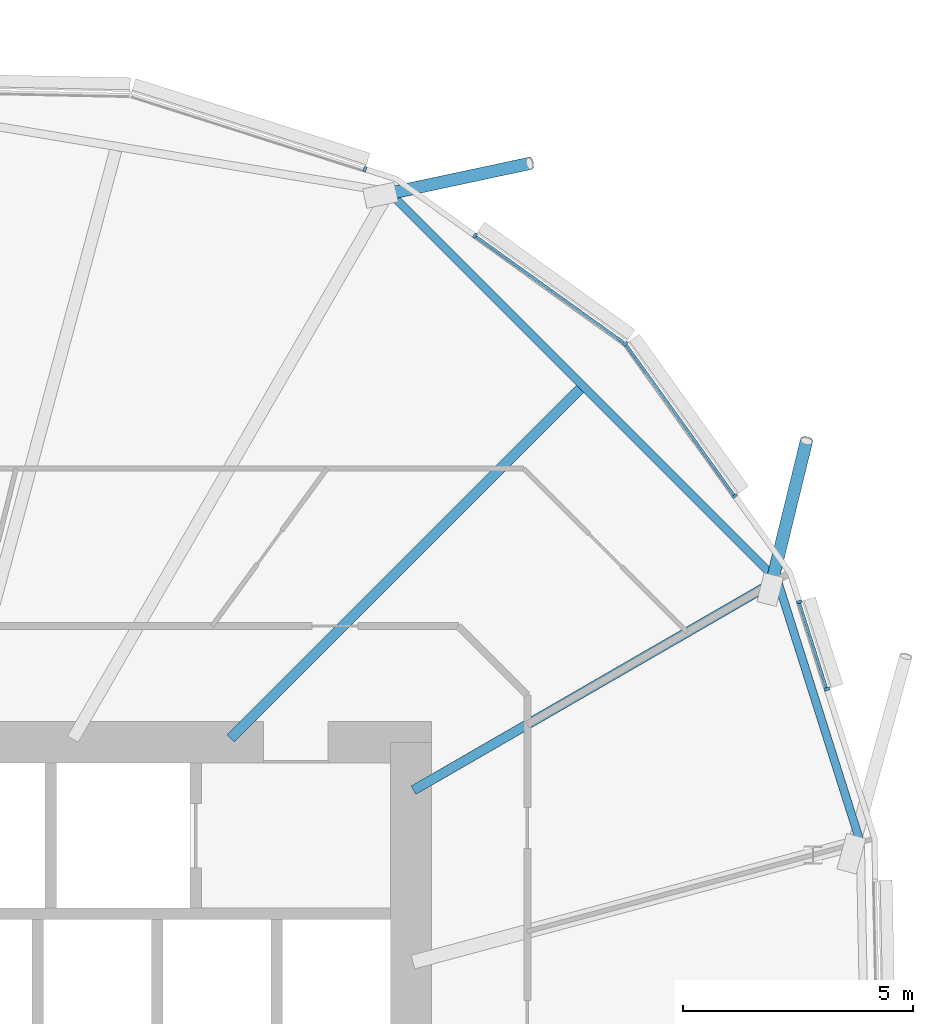
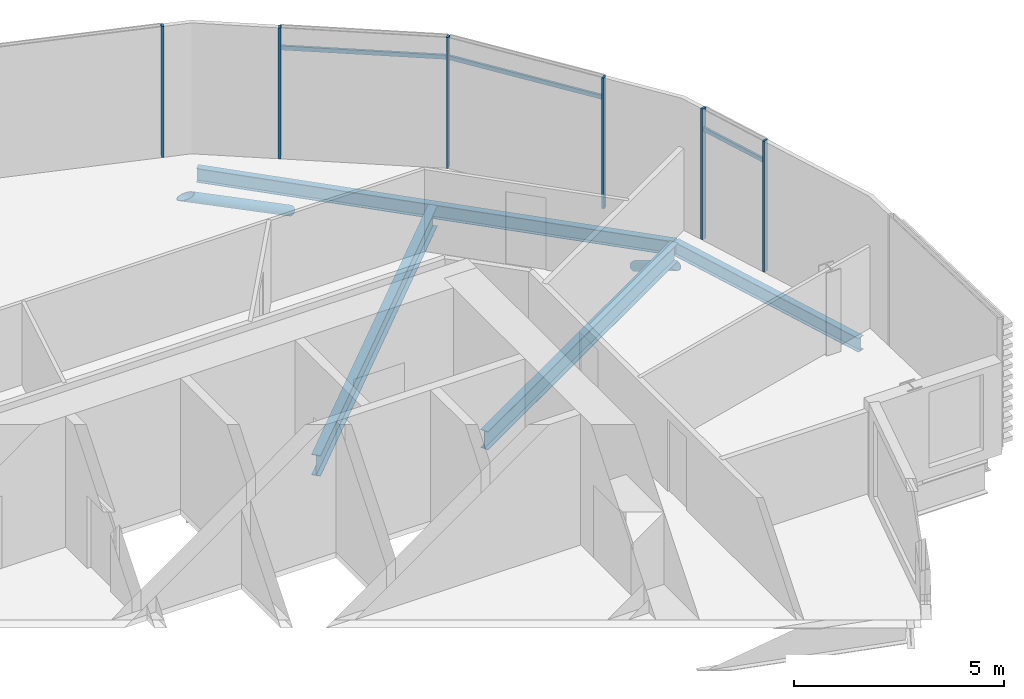
# One storey, part 18 of 38: 11 members, 4 beams, 1 element without a shape of its own.
"""IFC4 building model written with IfcOpenShell, lengths in metres."""

from ifc_helpers import new_model, si_unit, direction, frame, origin, origin_2d, place, context, subcontext, project, spatial, rectangle, hollow_circle, i_section, extrude, clip, halfspace, material, material_profile, profile_set, type_object, element, aggregate, save


model = new_model("IFC4")

# Units and contexts
model_context = context("Model", 3, precision=1e-05, world=origin(), true_north=direction((0.0, 1.0)))
body_context = subcontext(model_context, "Body", "Model", "MODEL_VIEW")
ifc_project = project(units=[si_unit("LENGTHUNIT", "METRE"), si_unit("AREAUNIT", "SQUARE_METRE"), si_unit("VOLUMEUNIT", "CUBIC_METRE"), si_unit("PLANEANGLEUNIT", "RADIAN"), si_unit("MASSUNIT", "GRAM", prefix="KILO")], contexts=[model_context])

# Site, building, storey
site_placement = place(None, origin())
site = spatial("IfcSite", under=ifc_project, at=site_placement, CompositionType="ELEMENT")
building_placement = place(site_placement, origin())
building = spatial("IfcBuilding", under=site, at=building_placement, Name="Rimbun Link Towers", CompositionType="ELEMENT")
storey_placement = place(building_placement, frame((0.0, 0.0, 71.800048828125)))
storey = spatial("IfcBuildingStorey", under=building, at=storey_placement, Name="L17", CompositionType="ELEMENT", Elevation=71.800048828125)

# Curtain wall, members
ifc_material_1 = material(Name="Aluminium 6063-T6 and low-iron glass", Category="aluminium")
curtain_wall_type = type_object("IfcCurtainWallType", Name="CW1 unitised vision wall", PredefinedType="NOTDEFINED", material=ifc_material_1)
curtain_wall_placement = place(storey_placement, origin())
curtain_wall = element("IfcCurtainWall", 1, at=curtain_wall_placement, inside=storey, type_object=curtain_wall_type, Name="CW1 L17 T2", PredefinedType="NOTDEFINED")
ifc_material_2 = material(Name="Aluminium 6063-T6", Category="aluminium")
ifc_material_profile_1 = material_profile(ifc_material_2, rectangle(XDim=0.1201171875, YDim=0.06005859375, at=origin_2d()), Name="MULLION 60X120")
ifc_profile_set_1 = profile_set([ifc_material_profile_1], Name="Aluminium 6063-T6")
member_type_1 = type_object("IfcMemberType", Name="CW1 mullion 60X120", PredefinedType="MULLION", material=ifc_profile_set_1)
member_1_placement = place(storey_placement, frame((45.139404296875, 19.0, 0.0), z_axis=(0.0, 0.0, 1.0), x_axis=(0.583001588402, 0.812471013588, 0.0)))
member_1 = element("IfcMember", 2, at=member_1_placement, type_object=member_type_1, Name="CW1 mullion", PredefinedType="MULLION", context=body_context, shape_type="SweptSolid", body=[
    extrude(rectangle(XDim=0.1201171875, YDim=0.06005859375, at=origin_2d()), origin(), (0.0, 0.0, 1.0), 3.800048828125),
])
member_2_placement = place(storey_placement, frame((48.405517578125, 16.655517578125, 0.0), z_axis=(0.0, 0.0, 1.0), x_axis=(0.707106781187, 0.707106781187, 0.0)))
member_2 = element("IfcMember", 3, at=member_2_placement, type_object=member_type_1, Name="CW1 mullion", PredefinedType="MULLION", context=body_context, shape_type="SweptSolid", body=[
    extrude(rectangle(XDim=0.1201171875, YDim=0.06005859375, at=origin_2d()), origin(), (0.0, 0.0, 1.0), 3.800048828125),
])
member_3_placement = place(storey_placement, frame((42.74951171875, 20.44482421875, 0.0), z_axis=(0.0, 0.0, 1.0), x_axis=(0.30306620433, 0.952969504125, 0.0)))
member_3 = element("IfcMember", 4, at=member_3_placement, type_object=member_type_1, Name="CW1 mullion", PredefinedType="MULLION", context=body_context, shape_type="SweptSolid", body=[
    extrude(rectangle(XDim=0.1201171875, YDim=0.06005859375, at=origin_2d()), origin(), (0.0, 0.0, 1.0), 3.800048828125),
])
member_4_placement = place(storey_placement, frame((52.1796875, 11.047119140625, 0.0), z_axis=(0.0, 0.0, 1.0), x_axis=(0.952969504125, 0.30306620433, 0.0)))
member_4 = element("IfcMember", 5, at=member_4_placement, type_object=member_type_1, Name="CW1 mullion", PredefinedType="MULLION", context=body_context, shape_type="SweptSolid", body=[
    extrude(rectangle(XDim=0.1201171875, YDim=0.06005859375, at=origin_2d()), origin(), (0.0, 0.0, 1.0), 3.800048828125),
])
member_5_placement = place(storey_placement, frame((52.781494140625, 9.154541015625, 0.0), z_axis=(0.0, 0.0, 1.0), x_axis=(0.952969504125, 0.30306620433, 0.0)))
member_5 = element("IfcMember", 6, at=member_5_placement, type_object=member_type_1, Name="CW1 mullion", PredefinedType="MULLION", context=body_context, shape_type="SweptSolid", body=[
    extrude(rectangle(XDim=0.1201171875, YDim=0.06005859375, at=origin_2d()), origin(), (0.0, 0.0, 1.0), 3.800048828125),
])
member_6_placement = place(storey_placement, frame((50.779052734375, 13.348876953125, 0.0), z_axis=(0.0, 0.0, 1.0), x_axis=(0.812471013588, 0.583001588402, 0.0)))
member_6 = element("IfcMember", 7, at=member_6_placement, type_object=member_type_1, Name="CW1 mullion", PredefinedType="MULLION", context=body_context, shape_type="SweptSolid", body=[
    extrude(rectangle(XDim=0.1201171875, YDim=0.06005859375, at=origin_2d()), origin(), (0.0, 0.0, 1.0), 3.800048828125),
])
ifc_material_3 = material(Name="Aluminium 6063-T6", Category="aluminium")
ifc_material_profile_2 = material_profile(ifc_material_3, rectangle(XDim=0.06005859375, YDim=0.1201171875, at=origin_2d()), Name="TRANSOM 60X120")
ifc_profile_set_2 = profile_set([ifc_material_profile_2], Name="Aluminium 6063-T6")
member_type_2 = type_object("IfcMemberType", Name="CW1 transom 60X120", PredefinedType="USERDEFINED", material=ifc_profile_set_2)
member_7_placement = place(storey_placement, frame((45.16259765625, 18.980712890625, 3.199951171875), z_axis=(0.812516616043, -0.582938031574, 0.0), x_axis=(0.582938031574, 0.812516616043, 0.0)))
member_7 = element("IfcMember", 8, at=member_7_placement, type_object=member_type_2, Name="CW1 transom", ObjectType="TRANSOM", PredefinedType="USERDEFINED", context=body_context, shape_type="SweptSolid", body=[
    extrude(rectangle(XDim=0.06005859375, YDim=0.1201171875, at=origin_2d()), origin(), (0.0, 0.0, 1.0), 3.95068359375),
])
member_8_placement = place(storey_placement, frame((52.186767578125, 11.017822265625, 3.199951171875), z_axis=(0.303078085865, -0.952965725443, 0.0), x_axis=(0.952965725443, 0.303078085865, 0.0)))
member_8 = element("IfcMember", 9, at=member_8_placement, type_object=member_type_2, Name="CW1 transom", ObjectType="TRANSOM", PredefinedType="USERDEFINED", context=body_context, shape_type="SweptSolid", body=[
    extrude(rectangle(XDim=0.06005859375, YDim=0.1201171875, at=origin_2d()), origin(), (0.0, 0.0, 1.0), 1.926025390625),
])
member_9_placement = place(storey_placement, frame((48.427734375, 16.62255859375, 3.199951171875), z_axis=(0.582974439598, -0.81249049396, 0.0), x_axis=(0.81249049396, 0.582974439598, 0.0)))
member_9 = element("IfcMember", 10, at=member_9_placement, type_object=member_type_2, Name="CW1 transom", ObjectType="TRANSOM", PredefinedType="USERDEFINED", context=body_context, shape_type="SweptSolid", body=[
    extrude(rectangle(XDim=0.06005859375, YDim=0.1201171875, at=origin_2d()), origin(), (0.0, 0.0, 1.0), 4.000732421875),
])
aggregate(curtain_wall, [member_1, member_2, member_3, member_4, member_5, member_6, member_7, member_8, member_9])

# Members
ifc_material_4 = material(Name="Steel S355J2H", Category="steel")
ifc_material_profile_3 = material_profile(ifc_material_4, hollow_circle(Radius=0.136474609375, WallThickness=0.012451171875, at=origin_2d()), Name="CHS 273x12.5")
ifc_profile_set_3 = profile_set([ifc_material_profile_3], Name="Steel S355J2H")
member_type_3 = type_object("IfcMemberType", Name="Floor edge link CHS 273x12.5", PredefinedType="BRACE", material=ifc_profile_set_3)
member_10_placement = place(storey_placement, frame((43.245361328125, 19.910400390625, -1.039794921875), z_axis=(0.840867888406, 0.179570004253, -0.510583791185), x_axis=(-0.20884409898, 0.977948946684, 0.0)))
element("IfcMember", 11, at=member_10_placement, inside=storey, type_object=member_type_3, Name="Floor edge link T2 L17 01", PredefinedType="BRACE", context=body_context, shape_type="Clipping", body=[
    clip(extrude(hollow_circle(Radius=0.136474609375, WallThickness=0.012451171875, at=origin_2d()), frame((0.0, 0.0, -0.479248046875)), (0.0, 0.0, 1.0), 4.15966796875), halfspace(frame((0.0, 0.0, -0.226318359375), z_axis=(0.0, 0.859828001509, -0.510583791185)), False)),
])
member_11_placement = place(storey_placement, frame((51.580810546875, 11.44921875, -0.806396484375), z_axis=(0.196426425931, 0.803832515377, -0.561489043899), x_axis=(-0.971417391845, 0.237377865062, 0.0)))
element("IfcMember", 12, at=member_11_placement, inside=storey, type_object=member_type_3, Name="Floor edge link T2 L17 23", PredefinedType="BRACE", context=body_context, shape_type="Clipping", body=[
    clip(extrude(hollow_circle(Radius=0.136474609375, WallThickness=0.012451171875, at=origin_2d()), frame((0.0, 0.0, -0.420166015625)), (0.0, 0.0, 1.0), 4.28564453125), halfspace(frame((0.0, 0.0, -0.1982421875), z_axis=(0.0, 0.827484171197, -0.561489043899)), False)),
])

# Beams
ifc_material_5 = material(Name="Steel S355J2", Category="steel")
ifc_material_profile_4 = material_profile(ifc_material_5, i_section(OverallWidth=0.177978515625, OverallDepth=0.406494140625, WebThickness=0.0078125, FlangeThickness=0.0126953125, at=origin_2d()), Name="UB 406x178x60")
ifc_profile_set_4 = profile_set([ifc_material_profile_4], Name="Steel S355J2")
beam_type_1 = type_object("IfcBeamType", Name="UB 406x178x60", PredefinedType="BEAM", material=ifc_profile_set_4)
beam_1_placement = place(storey_placement, frame((53.501953125, 5.8427734375, -0.36328125), z_axis=(-0.30193580102, 0.953328260392, 0.0), x_axis=(-0.953328260392, -0.30193580102, 0.0)))
element("IfcBeam", 13, at=beam_1_placement, inside=storey, type_object=beam_type_1, Name="Edge beam T2 L17 22", PredefinedType="BEAM", context=body_context, shape_type="SweptSolid", body=[
    extrude(i_section(OverallWidth=0.177978515625, OverallDepth=0.406494140625, WebThickness=0.0078125, FlangeThickness=0.0126953125, at=origin_2d()), origin(), (0.0, 0.0, 1.0), 5.954345703125),
])
beam_2_placement = place(storey_placement, frame((51.703125, 11.52099609375, -0.36328125), z_axis=(-0.707106781187, 0.707106781187, 0.0), x_axis=(-0.707106781187, -0.707106781187, 0.0)))
element("IfcBeam", 14, at=beam_2_placement, inside=storey, type_object=beam_type_1, Name="Edge beam T2 L17 23-01", PredefinedType="BEAM", context=body_context, shape_type="SweptSolid", body=[
    extrude(i_section(OverallWidth=0.177978515625, OverallDepth=0.406494140625, WebThickness=0.0078125, FlangeThickness=0.0126953125, at=origin_2d()), origin(), (0.0, 0.0, 1.0), 11.78662109375),
])
ifc_material_6 = material(Name="Steel S355J2", Category="steel")
ifc_material_profile_5 = material_profile(ifc_material_6, i_section(OverallWidth=0.209228515625, OverallDepth=0.533203125, WebThickness=0.010009765625, FlangeThickness=0.015625, at=origin_2d()), Name="UB 533x210x92")
ifc_profile_set_5 = profile_set([ifc_material_profile_5], Name="Steel S355J2")
beam_type_2 = type_object("IfcBeamType", Name="UB 533x210x92", PredefinedType="BEAM", material=ifc_profile_set_5)
beam_3_placement = place(storey_placement, frame((43.80322265625, 6.958984375, -0.426513671875), z_axis=(0.866023513485, 0.500003274081, 0.0), x_axis=(-0.500003274081, 0.866023513485, 0.0)))
element("IfcBeam", 15, at=beam_3_placement, inside=storey, type_object=beam_type_2, Name="Radial beam T2 L17 23", PredefinedType="BEAM", context=body_context, shape_type="SweptSolid", body=[
    extrude(i_section(OverallWidth=0.209228515625, OverallDepth=0.533203125, WebThickness=0.010009765625, FlangeThickness=0.015625, at=origin_2d()), origin(), (0.0, 0.0, 1.0), 9.03076171875),
])
ifc_material_7 = material(Name="Steel S355J2", Category="steel")
ifc_material_profile_6 = material_profile(ifc_material_7, i_section(OverallWidth=0.2275390625, OverallDepth=0.6025390625, WebThickness=0.010498046875, FlangeThickness=0.014892578125, at=origin_2d()), Name="UB 610x229x101")
ifc_profile_set_6 = profile_set([ifc_material_profile_6], Name="Steel S355J2")
beam_type_3 = type_object("IfcBeamType", Name="UB 610x229x101", PredefinedType="BEAM", material=ifc_profile_set_6)
beam_4_placement = place(storey_placement, frame((39.831298828125, 8.081298828125, -0.46142578125), z_axis=(0.707106781187, 0.707106781187, 0.0), x_axis=(-0.707106781187, 0.707106781187, 0.0)))
element("IfcBeam", 16, at=beam_4_placement, inside=storey, type_object=beam_type_3, Name="Radial beam T2 L17 00", PredefinedType="BEAM", context=body_context, shape_type="SweptSolid", body=[
    extrude(i_section(OverallWidth=0.2275390625, OverallDepth=0.6025390625, WebThickness=0.010498046875, FlangeThickness=0.014892578125, at=origin_2d()), origin(), (0.0, 0.0, 1.0), 10.737060546875),
])

save(model, "model.ifc")
